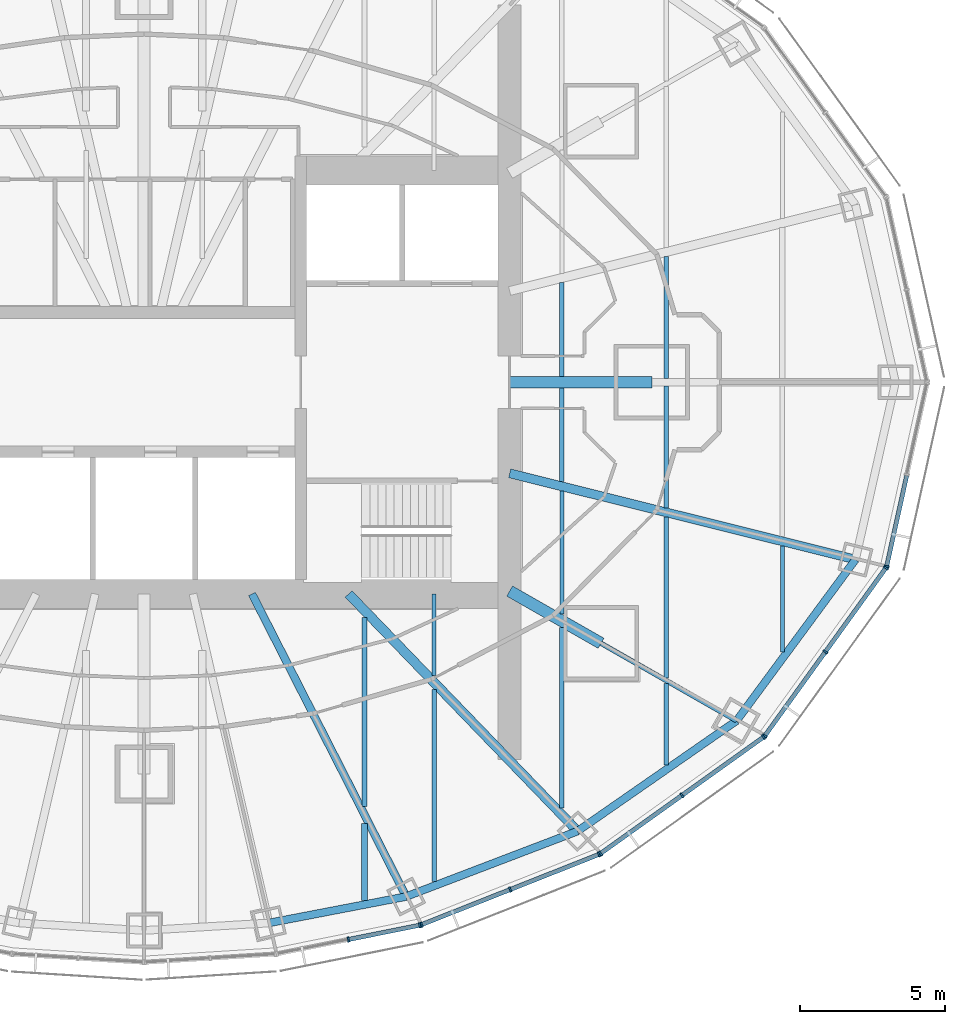
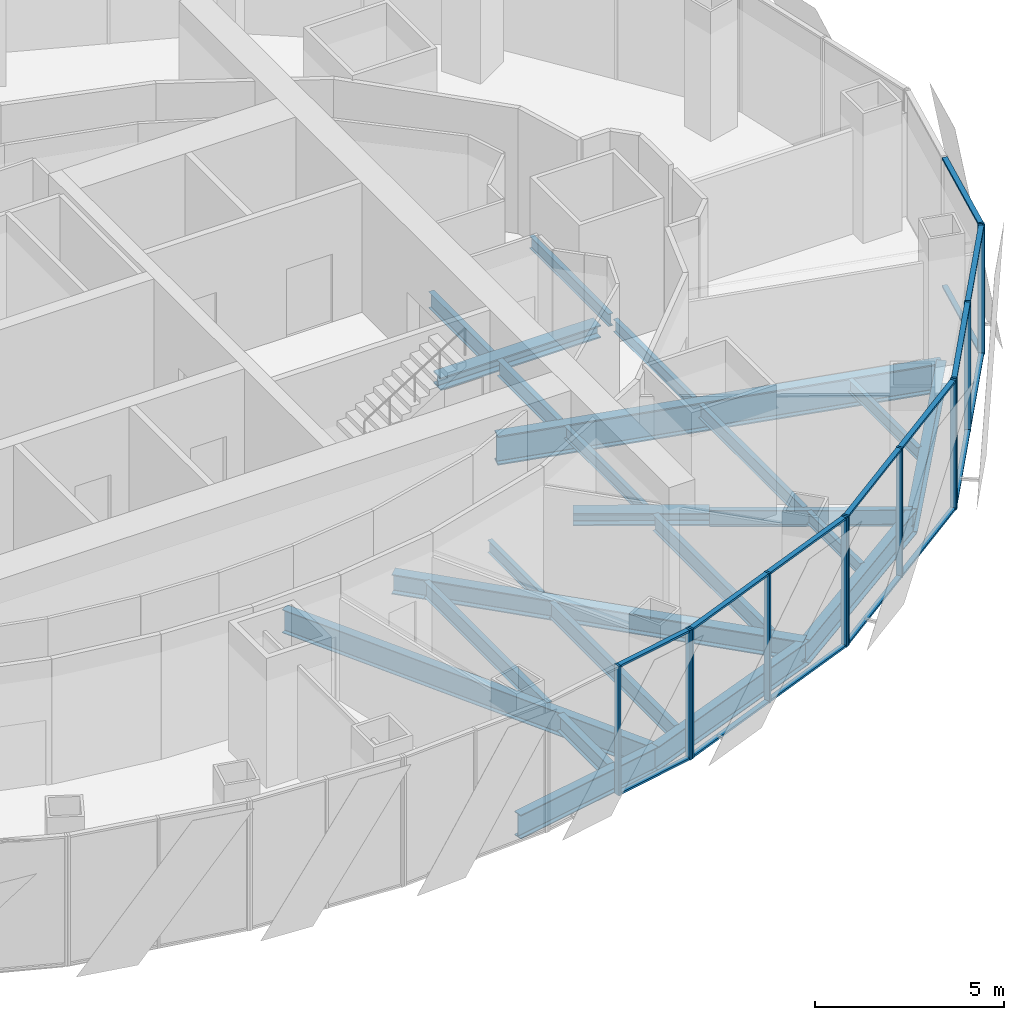
# One storey, part 6 of 17: 28 members, 23 beams, 5 elements without a shape of their own.
"""IFC4 building model written with IfcOpenShell, lengths in metres."""

from ifc_helpers import new_model, si_unit, direction, frame, origin, origin_2d, place, context, subcontext, project, spatial, rectangle, i_section, extrude, material, material_profile, profile_set, type_object, element, aggregate, save


model = new_model("IFC4")

# Units and contexts
model_context = context("Model", 3, precision=1e-05, world=origin(), true_north=direction((0.0, 1.0)))
body_context = subcontext(model_context, "Body", "Model", "MODEL_VIEW")
ifc_project = project(units=[si_unit("LENGTHUNIT", "METRE"), si_unit("AREAUNIT", "SQUARE_METRE"), si_unit("VOLUMEUNIT", "CUBIC_METRE"), si_unit("PLANEANGLEUNIT", "RADIAN"), si_unit("MASSUNIT", "GRAM", prefix="KILO")], contexts=[model_context])

# Site, building, storey
site_placement = place(None, origin())
site = spatial("IfcSite", under=ifc_project, at=site_placement, CompositionType="ELEMENT")
building_placement = place(site_placement, origin())
building = spatial("IfcBuilding", under=site, at=building_placement, Name="Lantaw Convention Tower", CompositionType="ELEMENT")
storey_placement = place(building_placement, frame((0.0, 0.0, 215.800048828125)))
storey = spatial("IfcBuildingStorey", under=building, at=storey_placement, Name="L50", CompositionType="ELEMENT", Elevation=215.800048828125)

# Beams
ifc_material_1 = material(Name="Steel ASTM A992", Category="steel")
ifc_material_profile_1 = material_profile(ifc_material_1, i_section(OverallWidth=0.2666015625, OverallDepth=0.76953125, WebThickness=0.015625, FlangeThickness=0.025390625, FilletRadius=0.0126953125, at=origin_2d()), Name="W30X132")
ifc_profile_set_1 = profile_set([ifc_material_profile_1], Name="Steel ASTM A992")
beam_type_1 = type_object("IfcBeamType", Name="Beam E W30X132", PredefinedType="SPANDREL", material=ifc_profile_set_1)
beam_1_placement = place(storey_placement, frame((4.303955078125, -18.64208984375, -0.534912109375), z_axis=(0.981972091702, 0.189025953556, 0.0), x_axis=(-0.189025953556, 0.981972091702, 0.0)))
element("IfcBeam", 1, at=beam_1_placement, inside=storey, type_object=beam_type_1, Name="Edge beam 20", PredefinedType="SPANDREL", context=body_context, shape_type="SweptSolid", body=[
    extrude(i_section(OverallWidth=0.2666015625, OverallDepth=0.76953125, WebThickness=0.015625, FlangeThickness=0.025390625, FilletRadius=0.0126953125, at=origin_2d()), origin(), (0.0, 0.0, 1.0), 4.817626953125),
])
beam_2_placement = place(storey_placement, frame((9.03466796875, -17.7314453125, -0.534912109375), z_axis=(0.934234988, 0.356658081637, 0.0), x_axis=(-0.356658081637, 0.934234988, 0.0)))
element("IfcBeam", 2, at=beam_2_placement, inside=storey, type_object=beam_type_1, Name="Edge beam 21", PredefinedType="SPANDREL", context=body_context, shape_type="SweptSolid", body=[
    extrude(i_section(OverallWidth=0.2666015625, OverallDepth=0.76953125, WebThickness=0.015625, FlangeThickness=0.025390625, FilletRadius=0.0126953125, at=origin_2d()), origin(), (0.0, 0.0, 1.0), 6.32568359375),
])
beam_3_placement = place(storey_placement, frame((14.9443359375, -15.475341796875, -0.534912109375), z_axis=(0.82135329406, 0.570419815869, 0.0), x_axis=(-0.570419815869, 0.82135329406, 0.0)))
element("IfcBeam", 3, at=beam_3_placement, inside=storey, type_object=beam_type_1, Name="Edge beam 22", PredefinedType="SPANDREL", context=body_context, shape_type="SweptSolid", body=[
    extrude(i_section(OverallWidth=0.2666015625, OverallDepth=0.76953125, WebThickness=0.015625, FlangeThickness=0.025390625, FilletRadius=0.0126953125, at=origin_2d()), origin(), (0.0, 0.0, 1.0), 6.67041015625),
])
beam_4_placement = place(storey_placement, frame((20.423095703125, -11.67041015625, -0.534912109375), z_axis=(0.593639188853, 0.804731329984, 0.0), x_axis=(-0.804731329984, 0.593639188853, 0.0)))
element("IfcBeam", 4, at=beam_4_placement, inside=storey, type_object=beam_type_1, Name="Edge beam 23", PredefinedType="SPANDREL", context=body_context, shape_type="SweptSolid", body=[
    extrude(i_section(OverallWidth=0.2666015625, OverallDepth=0.76953125, WebThickness=0.015625, FlangeThickness=0.025390625, FilletRadius=0.0126953125, at=origin_2d()), origin(), (0.0, 0.0, 1.0), 6.904541015625),
])
ifc_material_profile_2 = material_profile(ifc_material_1, i_section(OverallWidth=0.165771484375, OverallDepth=0.5283203125, WebThickness=0.009765625, FlangeThickness=0.013671875, FilletRadius=0.012939453125, at=origin_2d()), Name="W21X50")
ifc_profile_set_2 = profile_set([ifc_material_profile_2], Name="Steel ASTM A992")
beam_type_2 = type_object("IfcBeamType", Name="Beam G W21X50", PredefinedType="BEAM", material=ifc_profile_set_2)
beam_5_placement = place(storey_placement, frame((15.75, -9.0, -0.414306640625), z_axis=(0.868237559289, -0.496148708192, 0.0), x_axis=(0.496148708192, 0.868237559289, 0.0)))
element("IfcBeam", 5, at=beam_5_placement, inside=storey, type_object=beam_type_2, Name="Floor girder on ray 23", PredefinedType="BEAM", context=body_context, shape_type="SweptSolid", body=[
    extrude(i_section(OverallWidth=0.165771484375, OverallDepth=0.5283203125, WebThickness=0.009765625, FlangeThickness=0.013671875, FilletRadius=0.012939453125, at=origin_2d()), origin(), (0.0, 0.0, 1.0), 5.38232421875),
])
ifc_material_profile_3 = material_profile(ifc_material_1, i_section(OverallWidth=0.32763671875, OverallDepth=0.64013671875, WebThickness=0.01904296875, FlangeThickness=0.033935546875, FilletRadius=0.0126953125, at=origin_2d()), Name="W24X176")
ifc_profile_set_3 = profile_set([ifc_material_profile_3], Name="Steel ASTM A992")
beam_type_3 = type_object("IfcBeamType", Name="Beam G W24X176", PredefinedType="BEAM", material=ifc_profile_set_3)
beam_6_placement = place(storey_placement, frame((7.049560546875, -7.300048828125, -0.469970703125), z_axis=(0.694657766726, -0.719340383356, 0.0), x_axis=(0.719340383356, 0.694657766726, 0.0)))
element("IfcBeam", 6, at=beam_6_placement, inside=storey, type_object=beam_type_3, Name="Floor girder on ray 22", PredefinedType="BEAM", context=body_context, shape_type="SweptSolid", body=[
    extrude(i_section(OverallWidth=0.32763671875, OverallDepth=0.64013671875, WebThickness=0.01904296875, FlangeThickness=0.033935546875, FilletRadius=0.0126953125, at=origin_2d()), origin(), (0.0, 0.0, 1.0), 11.364990234375),
])
ifc_material_profile_4 = material_profile(ifc_material_1, i_section(OverallWidth=0.2666015625, OverallDepth=0.7568359375, WebThickness=0.013916015625, FlangeThickness=0.019287109375, FilletRadius=0.0126953125, at=origin_2d()), Name="W30X108")
ifc_profile_set_4 = profile_set([ifc_material_profile_4], Name="Steel ASTM A992")
beam_type_4 = type_object("IfcBeamType", Name="Beam G W30X108", PredefinedType="BEAM", material=ifc_profile_set_4)
beam_7_placement = place(storey_placement, frame((3.719482421875, -7.300048828125, -0.528564453125), z_axis=(0.4539988787, -0.891002254845, 0.0), x_axis=(0.891002254845, 0.4539988787, 0.0)))
element("IfcBeam", 7, at=beam_7_placement, inside=storey, type_object=beam_type_4, Name="Floor girder on ray 21", PredefinedType="BEAM", context=body_context, shape_type="SweptSolid", body=[
    extrude(i_section(OverallWidth=0.2666015625, OverallDepth=0.7568359375, WebThickness=0.013916015625, FlangeThickness=0.019287109375, FilletRadius=0.0126953125, at=origin_2d()), origin(), (0.0, 0.0, 1.0), 11.70751953125),
])
ifc_material_profile_5 = material_profile(ifc_material_1, i_section(OverallWidth=0.307373046875, OverallDepth=0.9423828125, WebThickness=0.022216796875, FlangeThickness=0.039794921875, FilletRadius=0.0126953125, at=origin_2d()), Name="W36X232")
ifc_profile_set_5 = profile_set([ifc_material_profile_5], Name="Steel ASTM A992")
beam_type_5 = type_object("IfcBeamType", Name="Beam G W36X232", PredefinedType="BEAM", material=ifc_profile_set_5)
beam_8_placement = place(storey_placement, frame((12.60009765625, -3.1416015625, -0.621337890625), z_axis=(0.970296589314, -0.241918434119, 0.0), x_axis=(0.241918434119, 0.970296589314, 0.0)))
element("IfcBeam", 8, at=beam_8_placement, inside=storey, type_object=beam_type_5, Name="Floor girder on ray 24", PredefinedType="BEAM", context=body_context, shape_type="SweptSolid", body=[
    extrude(i_section(OverallWidth=0.307373046875, OverallDepth=0.9423828125, WebThickness=0.022216796875, FlangeThickness=0.039794921875, FilletRadius=0.0126953125, at=origin_2d()), origin(), (0.0, 0.0, 1.0), 12.286865234375),
])
ifc_material_profile_6 = material_profile(ifc_material_1, i_section(OverallWidth=0.40380859375, OverallDepth=0.406494140625, WebThickness=0.027099609375, FlangeThickness=0.043701171875, FilletRadius=0.01513671875, at=origin_2d()), Name="W14X233")
ifc_profile_set_6 = profile_set([ifc_material_profile_6], Name="Steel ASTM A992")
beam_type_6 = type_object("IfcBeamType", Name="Beam GM W14X233", PredefinedType="BEAM", material=ifc_profile_set_6)
beam_9_placement = place(storey_placement, frame((12.60009765625, 0.0, -0.353271484375), z_axis=(1.0, 0.0, 0.0), x_axis=(0.0, 1.0, 0.0)))
element("IfcBeam", 9, at=beam_9_placement, inside=storey, type_object=beam_type_6, Name="Core link beam on ray 1", PredefinedType="BEAM", context=body_context, shape_type="SweptSolid", body=[
    extrude(i_section(OverallWidth=0.40380859375, OverallDepth=0.406494140625, WebThickness=0.027099609375, FlangeThickness=0.043701171875, FilletRadius=0.01513671875, at=origin_2d()), origin(), (0.0, 0.0, 1.0), 4.89990234375),
])
beam_10_placement = place(storey_placement, frame((12.60009765625, -7.199951171875, -0.353271484375), z_axis=(0.868230718294, -0.496160679428, 0.0), x_axis=(0.496160679428, 0.868230718294, 0.0)))
element("IfcBeam", 10, at=beam_10_placement, inside=storey, type_object=beam_type_6, Name="Core link beam on ray 23", PredefinedType="BEAM", context=body_context, shape_type="SweptSolid", body=[
    extrude(i_section(OverallWidth=0.40380859375, OverallDepth=0.406494140625, WebThickness=0.027099609375, FlangeThickness=0.043701171875, FilletRadius=0.01513671875, at=origin_2d()), origin(), (0.0, 0.0, 1.0), 3.6279296875),
])
ifc_material_profile_7 = material_profile(ifc_material_1, i_section(OverallWidth=0.140380859375, OverallDepth=0.40380859375, WebThickness=0.007080078125, FlangeThickness=0.01123046875, FilletRadius=0.01025390625, at=origin_2d()), Name="W16X31")
ifc_profile_set_7 = profile_set([ifc_material_profile_7], Name="Steel ASTM A992")
beam_type_7 = type_object("IfcBeamType", Name="Beam J W16X31", PredefinedType="JOIST", material=ifc_profile_set_7)
beam_11_placement = place(storey_placement, frame((10.0, -10.119384765625, -0.35205078125), z_axis=(0.0, 1.0, 0.0), x_axis=(-1.0, 0.0, 0.0)))
element("IfcBeam", 11, at=beam_11_placement, inside=storey, type_object=beam_type_7, Name="Floor joist", PredefinedType="JOIST", context=body_context, shape_type="SweptSolid", body=[
    extrude(i_section(OverallWidth=0.140380859375, OverallDepth=0.40380859375, WebThickness=0.007080078125, FlangeThickness=0.01123046875, FilletRadius=0.01025390625, at=origin_2d()), origin(), (0.0, 0.0, 1.0), 2.8193359375),
])
beam_12_placement = place(storey_placement, frame((14.39990234375, -7.99609375, -0.35205078125), z_axis=(0.0, 1.0, 0.0), x_axis=(-1.0, 0.0, 0.0)))
element("IfcBeam", 12, at=beam_12_placement, inside=storey, type_object=beam_type_7, Name="Floor joist", PredefinedType="JOIST", context=body_context, shape_type="SweptSolid", body=[
    extrude(i_section(OverallWidth=0.140380859375, OverallDepth=0.40380859375, WebThickness=0.007080078125, FlangeThickness=0.01123046875, FilletRadius=0.01025390625, at=origin_2d()), origin(), (0.0, 0.0, 1.0), 4.247314453125),
])
beam_13_placement = place(storey_placement, frame((18.0, -13.19091796875, -0.35205078125), z_axis=(0.0, 1.0, 0.0), x_axis=(-1.0, 0.0, 0.0)))
element("IfcBeam", 13, at=beam_13_placement, inside=storey, type_object=beam_type_7, Name="Floor joist", PredefinedType="JOIST", context=body_context, shape_type="SweptSolid", body=[
    extrude(i_section(OverallWidth=0.140380859375, OverallDepth=0.40380859375, WebThickness=0.007080078125, FlangeThickness=0.01123046875, FilletRadius=0.01025390625, at=origin_2d()), origin(), (0.0, 0.0, 1.0), 2.8095703125),
])
for number, where, z_axis, x_axis, name in (
    (14, (18.0, -4.32958984375, -0.35205078125), (0.0, 1.0, 0.0), (-1.0, 0.0, 0.0), "Floor joist"),
    (15, (18.0, 0.126953125, -0.35205078125), (0.0, 1.0, 0.0), (-1.0, 0.0, 0.0), "Floor joist"),
):
    element("IfcBeam", number, at=place(storey_placement, frame(where, z_axis=z_axis, x_axis=x_axis)), inside=storey, type_object=beam_type_7, Name=name, PredefinedType="JOIST", context=body_context, shape_type="SweptSolid", body=[
        extrude(i_section(OverallWidth=0.140380859375, OverallDepth=0.40380859375, WebThickness=0.007080078125, FlangeThickness=0.01123046875, FilletRadius=0.01025390625, at=origin_2d()), origin(), (0.0, 0.0, 1.0), 4.20263671875),
    ])
beam_14_placement = place(storey_placement, frame((22.0, -9.30810546875, -0.35205078125), z_axis=(0.0, 1.0, 0.0), x_axis=(-1.0, 0.0, 0.0)))
element("IfcBeam", 16, at=beam_14_placement, inside=storey, type_object=beam_type_7, Name="Floor joist", PredefinedType="JOIST", context=body_context, shape_type="SweptSolid", body=[
    extrude(i_section(OverallWidth=0.140380859375, OverallDepth=0.40380859375, WebThickness=0.007080078125, FlangeThickness=0.01123046875, FilletRadius=0.01025390625, at=origin_2d()), origin(), (0.0, 0.0, 1.0), 3.66455078125),
])
ifc_material_profile_8 = material_profile(ifc_material_1, i_section(OverallWidth=0.15234375, OverallDepth=0.449462890625, WebThickness=0.007568359375, FlangeThickness=0.0107421875, FilletRadius=0.01025390625, at=origin_2d()), Name="W18X35")
ifc_profile_set_8 = profile_set([ifc_material_profile_8], Name="Steel ASTM A992")
beam_type_8 = type_object("IfcBeamType", Name="Beam J W18X35", PredefinedType="JOIST", material=ifc_profile_set_8)
beam_15_placement = place(storey_placement, frame((18.0, -10.190185546875, -0.374755859375), z_axis=(0.0, 1.0, 0.0), x_axis=(-1.0, 0.0, 0.0)))
element("IfcBeam", 17, at=beam_15_placement, inside=storey, type_object=beam_type_8, Name="Floor joist", PredefinedType="JOIST", context=body_context, shape_type="SweptSolid", body=[
    extrude(i_section(OverallWidth=0.15234375, OverallDepth=0.449462890625, WebThickness=0.007568359375, FlangeThickness=0.0107421875, FilletRadius=0.01025390625, at=origin_2d()), origin(), (0.0, 0.0, 1.0), 5.5439453125),
])
ifc_material_profile_9 = material_profile(ifc_material_1, i_section(OverallWidth=0.1650390625, OverallDepth=0.52587890625, WebThickness=0.0087890625, FlangeThickness=0.011474609375, FilletRadius=0.0126953125, at=origin_2d()), Name="W21X44")
ifc_profile_set_9 = profile_set([ifc_material_profile_9], Name="Steel ASTM A992")
beam_type_9 = type_object("IfcBeamType", Name="Beam J W21X44", PredefinedType="JOIST", material=ifc_profile_set_9)
beam_16_placement = place(storey_placement, frame((7.60009765625, -14.6220703125, -0.412841796875), z_axis=(0.0, 1.0, 0.0), x_axis=(-1.0, 0.0, 0.0)))
element("IfcBeam", 18, at=beam_16_placement, inside=storey, type_object=beam_type_9, Name="Floor joist", PredefinedType="JOIST", context=body_context, shape_type="SweptSolid", body=[
    extrude(i_section(OverallWidth=0.1650390625, OverallDepth=0.52587890625, WebThickness=0.0087890625, FlangeThickness=0.011474609375, FilletRadius=0.0126953125, at=origin_2d()), origin(), (0.0, 0.0, 1.0), 6.51611328125),
])
beam_17_placement = place(storey_placement, frame((10.0, -17.22021484375, -0.412841796875), z_axis=(0.0, 1.0, 0.0), x_axis=(-1.0, 0.0, 0.0)))
element("IfcBeam", 19, at=beam_17_placement, inside=storey, type_object=beam_type_9, Name="Floor joist", PredefinedType="JOIST", context=body_context, shape_type="SweptSolid", body=[
    extrude(i_section(OverallWidth=0.1650390625, OverallDepth=0.52587890625, WebThickness=0.0087890625, FlangeThickness=0.011474609375, FilletRadius=0.0126953125, at=origin_2d()), origin(), (0.0, 0.0, 1.0), 6.629150390625),
])
beam_18_placement = place(storey_placement, frame((14.39990234375, -14.67578125, -0.412841796875), z_axis=(0.0, 1.0, 0.0), x_axis=(-1.0, 0.0, 0.0)))
element("IfcBeam", 20, at=beam_18_placement, inside=storey, type_object=beam_type_9, Name="Floor joist", PredefinedType="JOIST", context=body_context, shape_type="SweptSolid", body=[
    extrude(i_section(OverallWidth=0.1650390625, OverallDepth=0.52587890625, WebThickness=0.0087890625, FlangeThickness=0.011474609375, FilletRadius=0.0126953125, at=origin_2d()), origin(), (0.0, 0.0, 1.0), 6.214599609375),
])
for number, where, z_axis, x_axis, name in (
    (21, (14.39990234375, -3.431884765625, -0.412841796875), (0.0, 1.0, 0.0), (-1.0, 0.0, 0.0), "Floor joist"),
    (22, (14.39990234375, 0.201904296875, -0.412841796875), (0.0, 1.0, 0.0), (-1.0, 0.0, 0.0), "Floor joist"),
):
    element("IfcBeam", number, at=place(storey_placement, frame(where, z_axis=z_axis, x_axis=x_axis)), inside=storey, type_object=beam_type_9, Name=name, PredefinedType="JOIST", context=body_context, shape_type="SweptSolid", body=[
        extrude(i_section(OverallWidth=0.1650390625, OverallDepth=0.52587890625, WebThickness=0.0087890625, FlangeThickness=0.011474609375, FilletRadius=0.0126953125, at=origin_2d()), origin(), (0.0, 0.0, 1.0), 3.22998046875),
    ])
ifc_material_profile_10 = material_profile(ifc_material_1, i_section(OverallWidth=0.2099609375, OverallDepth=0.535888671875, WebThickness=0.010986328125, FlangeThickness=0.017333984375, FilletRadius=0.012939453125, at=origin_2d()), Name="W21X68")
ifc_profile_set_10 = profile_set([ifc_material_profile_10], Name="Steel ASTM A992")
beam_type_10 = type_object("IfcBeamType", Name="Beam J W21X68", PredefinedType="JOIST", material=ifc_profile_set_10)
beam_19_placement = place(storey_placement, frame((7.60009765625, -17.871826171875, -0.41796875), z_axis=(0.0, 1.0, 0.0), x_axis=(-1.0, 0.0, 0.0)))
element("IfcBeam", 23, at=beam_19_placement, inside=storey, type_object=beam_type_10, Name="Floor joist", PredefinedType="JOIST", context=body_context, shape_type="SweptSolid", body=[
    extrude(i_section(OverallWidth=0.2099609375, OverallDepth=0.535888671875, WebThickness=0.010986328125, FlangeThickness=0.017333984375, FilletRadius=0.012939453125, at=origin_2d()), origin(), (0.0, 0.0, 1.0), 2.662353515625),
])

# Curtain wall, members
ifc_material_2 = material(Name="Aluminium framed curtain wall", Category="aluminium")
curtain_wall_type = type_object("IfcCurtainWallType", Name="Office curtain wall high rise, pale aluminium", PredefinedType="USERDEFINED", material=ifc_material_2)
curtain_wall_1_placement = place(storey_placement, origin())
curtain_wall_1 = element("IfcCurtainWall", 24, at=curtain_wall_1_placement, inside=storey, type_object=curtain_wall_type, Name="Office curtain wall high rise, pale aluminium L50", ObjectType="UNITISED CURTAIN WALL", PredefinedType="USERDEFINED")
ifc_material_3 = material(Name="Aluminium 6063-T6", Category="aluminium")
ifc_material_profile_11 = material_profile(ifc_material_3, rectangle(XDim=0.179931640625, YDim=0.06494140625, at=origin_2d()), Name="CW-O2 mullion 65x180")
ifc_profile_set_11 = profile_set([ifc_material_profile_11], Name="Aluminium 6063-T6")
member_type_1 = type_object("IfcMemberType", Name="CW-O2 mullion 65x180", PredefinedType="MULLION", material=ifc_profile_set_11)
member_1_placement = place(storey_placement, frame((7.042724609375, -19.212646484375, -0.150146484375), z_axis=(0.0, 0.0, 1.0), x_axis=(-0.197183095987, 0.980366679695, 0.0)))
member_1 = element("IfcMember", 25, at=member_1_placement, type_object=member_type_1, Name="CW-O2 mullion 2", PredefinedType="MULLION", context=body_context, shape_type="SweptSolid", body=[
    extrude(rectangle(XDim=0.179931640625, YDim=0.06494140625, at=origin_2d()), origin(), (0.0, 0.0, 1.0), 4.2001953125),
])
member_2_placement = place(storey_placement, frame((9.502197265625, -18.718017578125, -0.150146484375), z_axis=(0.0, 0.0, 1.0), x_axis=(-0.197183095987, 0.980366679695, 0.0)))
member_2 = element("IfcMember", 26, at=member_2_placement, type_object=member_type_1, Name="CW-O2 mullion 3", PredefinedType="MULLION", context=body_context, shape_type="SweptSolid", body=[
    extrude(rectangle(XDim=0.179931640625, YDim=0.06494140625, at=origin_2d()), origin(), (0.0, 0.0, 1.0), 4.2001953125),
])

curtain_wall_2_placement = place(storey_placement, origin())
curtain_wall_2 = element("IfcCurtainWall", 27, at=curtain_wall_2_placement, inside=storey, type_object=curtain_wall_type, Name="Office curtain wall high rise, pale aluminium L50", ObjectType="UNITISED CURTAIN WALL", PredefinedType="USERDEFINED")
member_3_placement = place(storey_placement, frame((9.564208984375, -18.69970703125, -0.150146484375), z_axis=(0.0, 0.0, 1.0), x_axis=(-0.368162315252, 0.929761533743, 0.0)))
member_3 = element("IfcMember", 28, at=member_3_placement, type_object=member_type_1, Name="CW-O2 mullion 1", PredefinedType="MULLION", context=body_context, shape_type="SweptSolid", body=[
    extrude(rectangle(XDim=0.179931640625, YDim=0.06494140625, at=origin_2d()), origin(), (0.0, 0.0, 1.0), 4.2001953125),
])
member_4_placement = place(storey_placement, frame((12.621337890625, -17.4892578125, -0.150146484375), z_axis=(0.0, 0.0, 1.0), x_axis=(-0.368162315252, 0.929761533743, 0.0)))
member_4 = element("IfcMember", 29, at=member_4_placement, type_object=member_type_1, Name="CW-O2 mullion 2", PredefinedType="MULLION", context=body_context, shape_type="SweptSolid", body=[
    extrude(rectangle(XDim=0.179931640625, YDim=0.06494140625, at=origin_2d()), origin(), (0.0, 0.0, 1.0), 4.2001953125),
])
member_5_placement = place(storey_placement, frame((15.67822265625, -16.278564453125, -0.150146484375), z_axis=(0.0, 0.0, 1.0), x_axis=(-0.368162315252, 0.929761533743, 0.0)))
member_5 = element("IfcMember", 30, at=member_5_placement, type_object=member_type_1, Name="CW-O2 mullion 3", PredefinedType="MULLION", context=body_context, shape_type="SweptSolid", body=[
    extrude(rectangle(XDim=0.179931640625, YDim=0.06494140625, at=origin_2d()), origin(), (0.0, 0.0, 1.0), 4.2001953125),
])

curtain_wall_3_placement = place(storey_placement, origin())
curtain_wall_3 = element("IfcCurtainWall", 31, at=curtain_wall_3_placement, inside=storey, type_object=curtain_wall_type, Name="Office curtain wall high rise, pale aluminium L50", ObjectType="UNITISED CURTAIN WALL", PredefinedType="USERDEFINED")
member_6_placement = place(storey_placement, frame((15.73486328125, -16.247802734375, -0.150146484375), z_axis=(0.0, 0.0, 1.0), x_axis=(-0.581323487281, 0.813672540482, 0.0)))
member_6 = element("IfcMember", 32, at=member_6_placement, type_object=member_type_1, Name="CW-O2 mullion 1", PredefinedType="MULLION", context=body_context, shape_type="SweptSolid", body=[
    extrude(rectangle(XDim=0.179931640625, YDim=0.06494140625, at=origin_2d()), origin(), (0.0, 0.0, 1.0), 4.2001953125),
])
member_7_placement = place(storey_placement, frame((18.543212890625, -14.241455078125, -0.150146484375), z_axis=(0.0, 0.0, 1.0), x_axis=(-0.581323487281, 0.813672540482, 0.0)))
member_7 = element("IfcMember", 33, at=member_7_placement, type_object=member_type_1, Name="CW-O2 mullion 2", PredefinedType="MULLION", context=body_context, shape_type="SweptSolid", body=[
    extrude(rectangle(XDim=0.179931640625, YDim=0.06494140625, at=origin_2d()), origin(), (0.0, 0.0, 1.0), 4.2001953125),
])
member_8_placement = place(storey_placement, frame((21.3515625, -12.23486328125, -0.150146484375), z_axis=(0.0, 0.0, 1.0), x_axis=(-0.581323487281, 0.813672540482, 0.0)))
member_8 = element("IfcMember", 34, at=member_8_placement, type_object=member_type_1, Name="CW-O2 mullion 3", PredefinedType="MULLION", context=body_context, shape_type="SweptSolid", body=[
    extrude(rectangle(XDim=0.179931640625, YDim=0.06494140625, at=origin_2d()), origin(), (0.0, 0.0, 1.0), 4.2001953125),
])

curtain_wall_4_placement = place(storey_placement, origin())
curtain_wall_4 = element("IfcCurtainWall", 35, at=curtain_wall_4_placement, inside=storey, type_object=curtain_wall_type, Name="Office curtain wall high rise, pale aluminium L50", ObjectType="UNITISED CURTAIN WALL", PredefinedType="USERDEFINED")
member_9_placement = place(storey_placement, frame((21.397216796875, -12.189697265625, -0.150146484375), z_axis=(0.0, 0.0, 1.0), x_axis=(-0.810919559405, 0.585157643865, 0.0)))
member_9 = element("IfcMember", 36, at=member_9_placement, type_object=member_type_1, Name="CW-O2 mullion 1", PredefinedType="MULLION", context=body_context, shape_type="SweptSolid", body=[
    extrude(rectangle(XDim=0.179931640625, YDim=0.06494140625, at=origin_2d()), origin(), (0.0, 0.0, 1.0), 4.2001953125),
])
member_10_placement = place(storey_placement, frame((23.483642578125, -9.298095703125, -0.150146484375), z_axis=(0.0, 0.0, 1.0), x_axis=(-0.810919559405, 0.585157643865, 0.0)))
member_10 = element("IfcMember", 37, at=member_10_placement, type_object=member_type_1, Name="CW-O2 mullion 2", PredefinedType="MULLION", context=body_context, shape_type="SweptSolid", body=[
    extrude(rectangle(XDim=0.179931640625, YDim=0.06494140625, at=origin_2d()), origin(), (0.0, 0.0, 1.0), 4.2001953125),
])
member_11_placement = place(storey_placement, frame((25.5703125, -6.406494140625, -0.150146484375), z_axis=(0.0, 0.0, 1.0), x_axis=(-0.810919559405, 0.585157643865, 0.0)))
member_11 = element("IfcMember", 38, at=member_11_placement, type_object=member_type_1, Name="CW-O2 mullion 3", PredefinedType="MULLION", context=body_context, shape_type="SweptSolid", body=[
    extrude(rectangle(XDim=0.179931640625, YDim=0.06494140625, at=origin_2d()), origin(), (0.0, 0.0, 1.0), 4.2001953125),
])

# Curtain wall, member
curtain_wall_5_placement = place(storey_placement, origin())
curtain_wall_5 = element("IfcCurtainWall", 39, at=curtain_wall_5_placement, inside=storey, type_object=curtain_wall_type, Name="Office curtain wall high rise, pale aluminium L50", ObjectType="UNITISED CURTAIN WALL", PredefinedType="USERDEFINED")
member_12_placement = place(storey_placement, frame((25.596435546875, -6.348388671875, -0.150146484375), z_axis=(0.0, 0.0, 1.0), x_axis=(-0.976417396437, 0.215891333626, 0.0)))
member_12 = element("IfcMember", 40, at=member_12_placement, type_object=member_type_1, Name="CW-O2 mullion 1", PredefinedType="MULLION", context=body_context, shape_type="SweptSolid", body=[
    extrude(rectangle(XDim=0.179931640625, YDim=0.06494140625, at=origin_2d()), origin(), (0.0, 0.0, 1.0), 4.2001953125),
])

# Member
ifc_material_profile_12 = material_profile(ifc_material_3, rectangle(XDim=0.14990234375, YDim=0.06494140625, at=origin_2d()), Name="CW-O2 transom 65x150")
ifc_profile_set_12 = profile_set([ifc_material_profile_12], Name="Aluminium 6063-T6")
member_type_2 = type_object("IfcMemberType", Name="CW-O2 transom 65x150", PredefinedType="USERDEFINED", material=ifc_profile_set_12)
member_13_placement = place(storey_placement, frame((7.074462890625, -19.206298828125, -0.117431640625), z_axis=(0.98036104319, 0.197211117829, 0.0), x_axis=(-0.197211117829, 0.98036104319, 0.0)))
member_13 = element("IfcMember", 41, at=member_13_placement, type_object=member_type_2, Name="CW-O2 transom 2.1", ObjectType="TRANSOM", PredefinedType="USERDEFINED", context=body_context, shape_type="SweptSolid", body=[
    extrude(rectangle(XDim=0.14990234375, YDim=0.06494140625, at=origin_2d()), origin(), (0.0, 0.0, 1.0), 2.44384765625),
])

member_14_placement = place(storey_placement, frame((7.074462890625, -19.206298828125, 4.017333984375), z_axis=(0.98036104319, 0.197211117829, 0.0), x_axis=(-0.197211117829, 0.98036104319, 0.0)))
member_14 = element("IfcMember", 42, at=member_14_placement, type_object=member_type_2, Name="CW-O2 transom 2.2", ObjectType="TRANSOM", PredefinedType="USERDEFINED", context=body_context, shape_type="SweptSolid", body=[
    extrude(rectangle(XDim=0.14990234375, YDim=0.06494140625, at=origin_2d()), origin(), (0.0, 0.0, 1.0), 2.44384765625),
])

aggregate(curtain_wall_1, [member_1, member_2, member_13, member_14])

member_15_placement = place(storey_placement, frame((9.594482421875, -18.687744140625, -0.117431640625), z_axis=(0.929766642946, 0.368149412149, 0.0), x_axis=(-0.368149412149, 0.929766642946, 0.0)))
member_15 = element("IfcMember", 43, at=member_15_placement, type_object=member_type_2, Name="CW-O2 transom 1.1", ObjectType="TRANSOM", PredefinedType="USERDEFINED", context=body_context, shape_type="SweptSolid", body=[
    extrude(rectangle(XDim=0.14990234375, YDim=0.06494140625, at=origin_2d()), origin(), (0.0, 0.0, 1.0), 3.222900390625),
])

member_16_placement = place(storey_placement, frame((9.594482421875, -18.687744140625, 4.017333984375), z_axis=(0.929766642946, 0.368149412149, 0.0), x_axis=(-0.368149412149, 0.929766642946, 0.0)))
member_16 = element("IfcMember", 44, at=member_16_placement, type_object=member_type_2, Name="CW-O2 transom 1.2", ObjectType="TRANSOM", PredefinedType="USERDEFINED", context=body_context, shape_type="SweptSolid", body=[
    extrude(rectangle(XDim=0.14990234375, YDim=0.06494140625, at=origin_2d()), origin(), (0.0, 0.0, 1.0), 3.222900390625),
])

member_17_placement = place(storey_placement, frame((12.651611328125, -17.477294921875, -0.117431640625), z_axis=(0.929740712354, 0.368214893495, 0.0), x_axis=(-0.368214893495, 0.929740712354, 0.0)))
member_17 = element("IfcMember", 45, at=member_17_placement, type_object=member_type_2, Name="CW-O2 transom 2.1", ObjectType="TRANSOM", PredefinedType="USERDEFINED", context=body_context, shape_type="SweptSolid", body=[
    extrude(rectangle(XDim=0.14990234375, YDim=0.06494140625, at=origin_2d()), origin(), (0.0, 0.0, 1.0), 3.22314453125),
])

member_18_placement = place(storey_placement, frame((12.651611328125, -17.477294921875, 4.017333984375), z_axis=(0.929740712354, 0.368214893495, 0.0), x_axis=(-0.368214893495, 0.929740712354, 0.0)))
member_18 = element("IfcMember", 46, at=member_18_placement, type_object=member_type_2, Name="CW-O2 transom 2.2", ObjectType="TRANSOM", PredefinedType="USERDEFINED", context=body_context, shape_type="SweptSolid", body=[
    extrude(rectangle(XDim=0.14990234375, YDim=0.06494140625, at=origin_2d()), origin(), (0.0, 0.0, 1.0), 3.22314453125),
])

aggregate(curtain_wall_2, [member_3, member_4, member_5, member_15, member_16, member_17, member_18])

member_19_placement = place(storey_placement, frame((15.761474609375, -16.22900390625, -0.117431640625), z_axis=(0.813645780821, 0.581360940683, 0.0), x_axis=(-0.581360940683, 0.813645780821, 0.0)))
member_19 = element("IfcMember", 47, at=member_19_placement, type_object=member_type_2, Name="CW-O2 transom 1.1", ObjectType="TRANSOM", PredefinedType="USERDEFINED", context=body_context, shape_type="SweptSolid", body=[
    extrude(rectangle(XDim=0.14990234375, YDim=0.06494140625, at=origin_2d()), origin(), (0.0, 0.0, 1.0), 3.386474609375),
])

member_20_placement = place(storey_placement, frame((15.761474609375, -16.22900390625, 4.017333984375), z_axis=(0.813645780821, 0.581360940683, 0.0), x_axis=(-0.581360940683, 0.813645780821, 0.0)))
member_20 = element("IfcMember", 48, at=member_20_placement, type_object=member_type_2, Name="CW-O2 transom 1.2", ObjectType="TRANSOM", PredefinedType="USERDEFINED", context=body_context, shape_type="SweptSolid", body=[
    extrude(rectangle(XDim=0.14990234375, YDim=0.06494140625, at=origin_2d()), origin(), (0.0, 0.0, 1.0), 3.386474609375),
])

member_21_placement = place(storey_placement, frame((18.56982421875, -14.222412109375, -0.117431640625), z_axis=(0.813679882592, 0.581313210468, 0.0), x_axis=(-0.581313210468, 0.813679882592, 0.0)))
member_21 = element("IfcMember", 49, at=member_21_placement, type_object=member_type_2, Name="CW-O2 transom 2.1", ObjectType="TRANSOM", PredefinedType="USERDEFINED", context=body_context, shape_type="SweptSolid", body=[
    extrude(rectangle(XDim=0.14990234375, YDim=0.06494140625, at=origin_2d()), origin(), (0.0, 0.0, 1.0), 3.38623046875),
])

member_22_placement = place(storey_placement, frame((18.56982421875, -14.222412109375, 4.017333984375), z_axis=(0.813679882592, 0.581313210468, 0.0), x_axis=(-0.581313210468, 0.813679882592, 0.0)))
member_22 = element("IfcMember", 50, at=member_22_placement, type_object=member_type_2, Name="CW-O2 transom 2.2", ObjectType="TRANSOM", PredefinedType="USERDEFINED", context=body_context, shape_type="SweptSolid", body=[
    extrude(rectangle(XDim=0.14990234375, YDim=0.06494140625, at=origin_2d()), origin(), (0.0, 0.0, 1.0), 3.38623046875),
])

aggregate(curtain_wall_3, [member_6, member_7, member_8, member_19, member_20, member_21, member_22])

member_23_placement = place(storey_placement, frame((21.416259765625, -12.163330078125, -0.117431640625), z_axis=(0.585123825205, 0.810943961798, 0.0), x_axis=(-0.810943961798, 0.585123825205, 0.0)))
member_23 = element("IfcMember", 51, at=member_23_placement, type_object=member_type_2, Name="CW-O2 transom 1.1", ObjectType="TRANSOM", PredefinedType="USERDEFINED", context=body_context, shape_type="SweptSolid", body=[
    extrude(rectangle(XDim=0.14990234375, YDim=0.06494140625, at=origin_2d()), origin(), (0.0, 0.0, 1.0), 3.500732421875),
])

member_24_placement = place(storey_placement, frame((21.416259765625, -12.163330078125, 4.017333984375), z_axis=(0.585123825205, 0.810943961798, 0.0), x_axis=(-0.810943961798, 0.585123825205, 0.0)))
member_24 = element("IfcMember", 52, at=member_24_placement, type_object=member_type_2, Name="CW-O2 transom 1.2", ObjectType="TRANSOM", PredefinedType="USERDEFINED", context=body_context, shape_type="SweptSolid", body=[
    extrude(rectangle(XDim=0.14990234375, YDim=0.06494140625, at=origin_2d()), origin(), (0.0, 0.0, 1.0), 3.500732421875),
])

member_25_placement = place(storey_placement, frame((23.502685546875, -9.271728515625, -0.117431640625), z_axis=(0.585169685931, 0.810910869743, 0.0), x_axis=(-0.810910869743, 0.585169685931, 0.0)))
member_25 = element("IfcMember", 53, at=member_25_placement, type_object=member_type_2, Name="CW-O2 transom 2.1", ObjectType="TRANSOM", PredefinedType="USERDEFINED", context=body_context, shape_type="SweptSolid", body=[
    extrude(rectangle(XDim=0.14990234375, YDim=0.06494140625, at=origin_2d()), origin(), (0.0, 0.0, 1.0), 3.500732421875),
])

member_26_placement = place(storey_placement, frame((23.502685546875, -9.271728515625, 4.017333984375), z_axis=(0.585169685931, 0.810910869743, 0.0), x_axis=(-0.810910869743, 0.585169685931, 0.0)))
member_26 = element("IfcMember", 54, at=member_26_placement, type_object=member_type_2, Name="CW-O2 transom 2.2", ObjectType="TRANSOM", PredefinedType="USERDEFINED", context=body_context, shape_type="SweptSolid", body=[
    extrude(rectangle(XDim=0.14990234375, YDim=0.06494140625, at=origin_2d()), origin(), (0.0, 0.0, 1.0), 3.500732421875),
])

aggregate(curtain_wall_4, [member_9, member_10, member_11, member_23, member_24, member_25, member_26])

member_27_placement = place(storey_placement, frame((25.603271484375, -6.316650390625, -0.117431640625), z_axis=(0.215894607042, 0.976416672661, 0.0), x_axis=(-0.976416672661, 0.215894607042, 0.0)))
member_27 = element("IfcMember", 55, at=member_27_placement, type_object=member_type_2, Name="CW-O2 transom 1.1", ObjectType="TRANSOM", PredefinedType="USERDEFINED", context=body_context, shape_type="SweptSolid", body=[
    extrude(rectangle(XDim=0.14990234375, YDim=0.06494140625, at=origin_2d()), origin(), (0.0, 0.0, 1.0), 3.169677734375),
])

member_28_placement = place(storey_placement, frame((25.603271484375, -6.316650390625, 4.017333984375), z_axis=(0.215894607042, 0.976416672661, 0.0), x_axis=(-0.976416672661, 0.215894607042, 0.0)))
member_28 = element("IfcMember", 56, at=member_28_placement, type_object=member_type_2, Name="CW-O2 transom 1.2", ObjectType="TRANSOM", PredefinedType="USERDEFINED", context=body_context, shape_type="SweptSolid", body=[
    extrude(rectangle(XDim=0.14990234375, YDim=0.06494140625, at=origin_2d()), origin(), (0.0, 0.0, 1.0), 3.169677734375),
])

aggregate(curtain_wall_5, [member_12, member_27, member_28])

save(model, "model.ifc")
